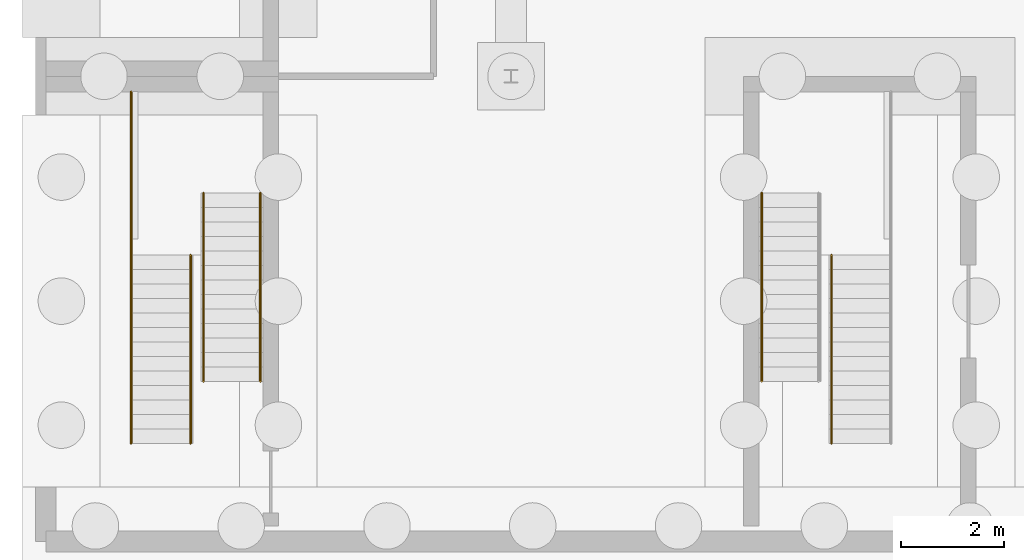
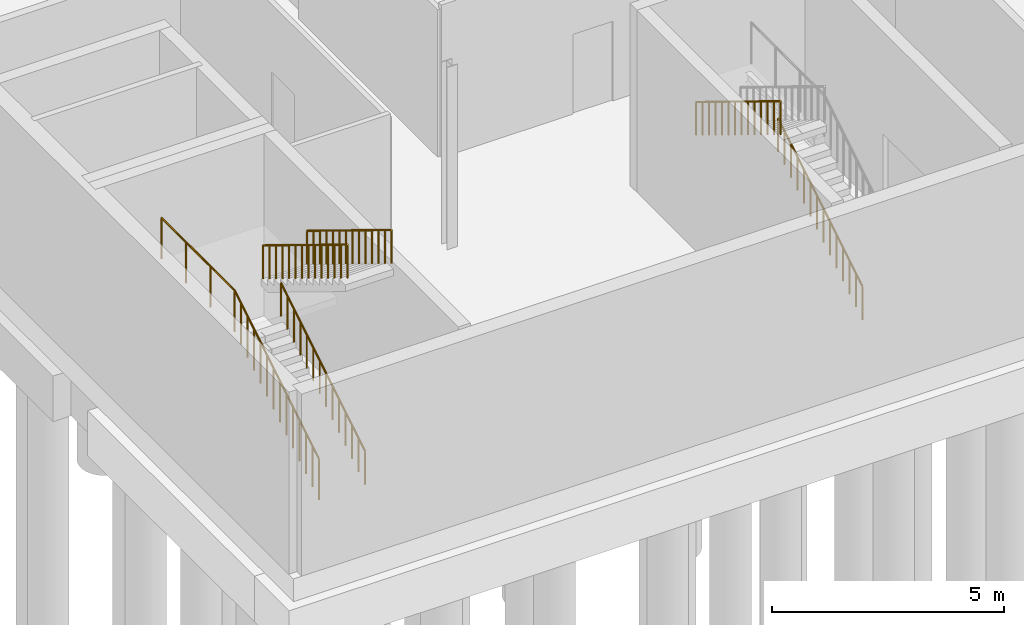
# One storey, part 23 of 31: 7 railings.
"""IFC4 building model written with IfcOpenShell, lengths in metres."""

from ifc_helpers import new_model, si_unit, direction, frame, origin, origin_2d, place, context, subcontext, project, spatial, circle, extrude, material, type_object, element, save


model = new_model("IFC4")

# Units and contexts
model_context = context("Model", 3, precision=1e-05, world=origin(), true_north=direction((0.0, 1.0)))
body_context = subcontext(model_context, "Body", "Model", "MODEL_VIEW")
ifc_project = project(units=[si_unit("LENGTHUNIT", "METRE"), si_unit("AREAUNIT", "SQUARE_METRE"), si_unit("VOLUMEUNIT", "CUBIC_METRE"), si_unit("PLANEANGLEUNIT", "RADIAN"), si_unit("MASSUNIT", "GRAM", prefix="KILO")], contexts=[model_context])

# Site, building, storey
site_placement = place(None, origin())
site = spatial("IfcSite", under=ifc_project, at=site_placement, CompositionType="ELEMENT")
building_placement = place(site_placement, origin())
building = spatial("IfcBuilding", under=site, at=building_placement, Name="Halyard Row Museum", CompositionType="ELEMENT")
storey_placement = place(building_placement, frame((0.0, 0.0, -4.800048828125)))
storey = spatial("IfcBuildingStorey", under=building, at=storey_placement, Name="B1", CompositionType="ELEMENT", Elevation=-4.800048828125)

# Railings
ifc_material_1 = material(Name="Steel Grade 300", Category="steel")
railing_type_1 = type_object("IfcRailingType", Name="Guard GR2 steel balustrade 1100", PredefinedType="GUARDRAIL", material=ifc_material_1)
railing_1_placement = place(storey_placement, frame((1.64990234375, 1.89990234375, 0.17138671875)))
element("IfcRailing", 1, at=railing_1_placement, inside=storey, type_object=railing_type_1, Name="Guard GR084", PredefinedType="GUARDRAIL", context=body_context, shape_type="SweptSolid", body=[
    extrude(circle(Radius=0.02392578125, at=origin_2d()), frame((0.0, 0.0, 1.076171875), z_axis=(0.0, 0.852601252411, 0.522562057929), x_axis=(-1.0, 0.0, 0.0)), (0.0, 0.0, 1.0), 0.328369140625),
    extrude(circle(Radius=0.02392578125, at=origin_2d()), frame((0.0, 0.280029296875, 1.24755859375), z_axis=(0.0, 0.852932391421, 0.522021393877), x_axis=(-1.0, 0.0, 0.0)), (0.0, 0.0, 1.0), 0.328369140625),
    extrude(circle(Radius=0.02392578125, at=origin_2d()), frame((0.0, 0.56005859375, 1.4189453125), z_axis=(0.0, 0.852932391421, 0.522021393877), x_axis=(-1.0, 0.0, 0.0)), (0.0, 0.0, 1.0), 0.328369140625),
    extrude(circle(Radius=0.02392578125, at=origin_2d()), frame((0.0, 0.840087890625, 1.59033203125), z_axis=(0.0, 0.852932391421, 0.522021393877), x_axis=(-1.0, 0.0, 0.0)), (0.0, 0.0, 1.0), 0.328369140625),
    extrude(circle(Radius=0.02392578125, at=origin_2d()), frame((0.0, 1.1201171875, 1.76171875), z_axis=(0.0, 0.852932391421, 0.522021393877), x_axis=(-1.0, 0.0, 0.0)), (0.0, 0.0, 1.0), 0.328369140625),
    extrude(circle(Radius=0.02392578125, at=origin_2d()), frame((0.0, 1.400146484375, 1.93310546875), z_axis=(0.0, 0.852932391421, 0.522021393877), x_axis=(-1.0, 0.0, 0.0)), (0.0, 0.0, 1.0), 0.328369140625),
    extrude(circle(Radius=0.02392578125, at=origin_2d()), frame((0.0, 1.68017578125, 2.1044921875), z_axis=(0.0, 0.852601252411, 0.522562057929), x_axis=(-1.0, 0.0, 0.0)), (0.0, 0.0, 1.0), 0.328369140625),
    extrude(circle(Radius=0.02392578125, at=origin_2d()), frame((0.0, 1.960205078125, 2.2763671875), z_axis=(0.0, 0.852729557261, 0.522352660731), x_axis=(-1.0, 0.0, 0.0)), (0.0, 0.0, 1.0), 0.328125),
    extrude(circle(Radius=0.02392578125, at=origin_2d()), frame((0.0, 2.239990234375, 2.44775390625), z_axis=(0.0, 0.852932391421, 0.522021393877), x_axis=(-1.0, 0.0, 0.0)), (0.0, 0.0, 1.0), 0.328369140625),
    extrude(circle(Radius=0.02392578125, at=origin_2d()), frame((0.0, 2.52001953125, 2.619140625), z_axis=(0.0, 0.852932391421, 0.522021393877), x_axis=(-1.0, 0.0, 0.0)), (0.0, 0.0, 1.0), 0.328369140625),
    extrude(circle(Radius=0.02392578125, at=origin_2d()), frame((0.0, 2.800048828125, 2.79052734375), z_axis=(0.0, 0.852932391421, 0.522021393877), x_axis=(-1.0, 0.0, 0.0)), (0.0, 0.0, 1.0), 0.328369140625),
    extrude(circle(Radius=0.02392578125, at=origin_2d()), frame((0.0, 3.080078125, 2.9619140625), z_axis=(0.0, 0.852932391421, 0.522021393877), x_axis=(-1.0, 0.0, 0.0)), (0.0, 0.0, 1.0), 0.328369140625),
    extrude(circle(Radius=0.02392578125, at=origin_2d()), frame((0.0, 3.360107421875, 3.13330078125), z_axis=(0.0, 0.852601252411, 0.522562057929), x_axis=(-1.0, 0.0, 0.0)), (0.0, 0.0, 1.0), 0.328369140625),
    extrude(circle(Radius=0.02099609375, at=origin_2d()), origin(), (0.0, 0.0, 1.0), 1.052001953125),
    extrude(circle(Radius=0.02099609375, at=origin_2d()), frame((0.0, 0.280029296875, 0.171630859375)), (0.0, 0.0, 1.0), 1.052001953125),
    extrude(circle(Radius=0.02099609375, at=origin_2d()), frame((0.0, 0.56005859375, 0.343017578125)), (0.0, 0.0, 1.0), 1.052001953125),
    extrude(circle(Radius=0.02099609375, at=origin_2d()), frame((0.0, 0.840087890625, 0.514404296875)), (0.0, 0.0, 1.0), 1.052001953125),
    extrude(circle(Radius=0.02099609375, at=origin_2d()), frame((0.0, 1.1201171875, 0.685791015625)), (0.0, 0.0, 1.0), 1.052001953125),
    extrude(circle(Radius=0.02099609375, at=origin_2d()), frame((0.0, 1.400146484375, 0.857177734375)), (0.0, 0.0, 1.0), 1.052001953125),
    extrude(circle(Radius=0.02099609375, at=origin_2d()), frame((0.0, 1.68017578125, 1.028564453125)), (0.0, 0.0, 1.0), 1.052001953125),
    extrude(circle(Radius=0.02099609375, at=origin_2d()), frame((0.0, 1.960205078125, 1.2001953125)), (0.0, 0.0, 1.0), 1.052001953125),
    extrude(circle(Radius=0.02099609375, at=origin_2d()), frame((0.0, 2.239990234375, 1.37158203125)), (0.0, 0.0, 1.0), 1.052001953125),
    extrude(circle(Radius=0.02099609375, at=origin_2d()), frame((0.0, 2.52001953125, 1.54296875)), (0.0, 0.0, 1.0), 1.052001953125),
    extrude(circle(Radius=0.02099609375, at=origin_2d()), frame((0.0, 2.800048828125, 1.71435546875)), (0.0, 0.0, 1.0), 1.052001953125),
    extrude(circle(Radius=0.02099609375, at=origin_2d()), frame((0.0, 3.080078125, 1.8857421875)), (0.0, 0.0, 1.0), 1.052001953125),
    extrude(circle(Radius=0.02099609375, at=origin_2d()), frame((0.0, 3.360107421875, 2.05712890625)), (0.0, 0.0, 1.0), 1.052001953125),
    extrude(circle(Radius=0.02099609375, at=origin_2d()), frame((0.0, 3.64013671875, 2.228759765625)), (0.0, 0.0, 1.0), 1.052001953125),
])
railing_2_placement = place(storey_placement, frame((1.64990234375, 5.5400390625, 2.400146484375)))
element("IfcRailing", 2, at=railing_2_placement, inside=storey, type_object=railing_type_1, Name="Guard GR085", PredefinedType="GUARDRAIL", context=body_context, shape_type="SweptSolid", body=[
    extrude(circle(Radius=0.02392578125, at=origin_2d()), frame((0.0, 0.0, 1.076171875), z_axis=(0.0, 1.0, 0.0), x_axis=(-1.0, 0.0, 0.0)), (0.0, 0.0, 1.0), 3.159912109375),
    extrude(circle(Radius=0.02099609375, at=origin_2d()), origin(), (0.0, 0.0, 1.0), 1.052001953125),
    extrude(circle(Radius=0.02099609375, at=origin_2d()), frame((0.0, 1.05322265625, 0.0)), (0.0, 0.0, 1.0), 1.052001953125),
    extrude(circle(Radius=0.02099609375, at=origin_2d()), frame((0.0, 2.106689453125, 0.0)), (0.0, 0.0, 1.0), 1.052001953125),
    extrude(circle(Radius=0.02099609375, at=origin_2d()), frame((0.0, 3.159912109375, 0.0)), (0.0, 0.0, 1.0), 1.052001953125),
])
ifc_material_2 = material(Name="Steel Grade 300", Category="steel")
railing_type_2 = type_object("IfcRailingType", Name="Handrail HR2 steel 900", PredefinedType="HANDRAIL", material=ifc_material_2)
railing_3_placement = place(storey_placement, frame((15.199951171875, 1.89990234375, 0.17138671875)))
element("IfcRailing", 3, at=railing_3_placement, inside=storey, type_object=railing_type_2, Name="Handrail HR109", PredefinedType="HANDRAIL", context=body_context, shape_type="SweptSolid", body=[
    extrude(circle(Radius=0.02392578125, at=origin_2d()), frame((0.0, 0.0, 0.8759765625), z_axis=(0.0, 0.852601252411, 0.522562057929), x_axis=(-1.0, 0.0, 0.0)), (0.0, 0.0, 1.0), 0.328369140625),
    extrude(circle(Radius=0.02392578125, at=origin_2d()), frame((0.0, 0.280029296875, 1.04736328125), z_axis=(0.0, 0.852932391421, 0.522021393877), x_axis=(-1.0, 0.0, 0.0)), (0.0, 0.0, 1.0), 0.328369140625),
    extrude(circle(Radius=0.02392578125, at=origin_2d()), frame((0.0, 0.56005859375, 1.21875), z_axis=(0.0, 0.852932391421, 0.522021393877), x_axis=(-1.0, 0.0, 0.0)), (0.0, 0.0, 1.0), 0.328369140625),
    extrude(circle(Radius=0.02392578125, at=origin_2d()), frame((0.0, 0.840087890625, 1.39013671875), z_axis=(0.0, 0.852932391421, 0.522021393877), x_axis=(-1.0, 0.0, 0.0)), (0.0, 0.0, 1.0), 0.328369140625),
    extrude(circle(Radius=0.02392578125, at=origin_2d()), frame((0.0, 1.1201171875, 1.5615234375), z_axis=(0.0, 0.852932391421, 0.522021393877), x_axis=(-1.0, 0.0, 0.0)), (0.0, 0.0, 1.0), 0.328369140625),
    extrude(circle(Radius=0.02392578125, at=origin_2d()), frame((0.0, 1.400146484375, 1.73291015625), z_axis=(0.0, 0.852932391421, 0.522021393877), x_axis=(-1.0, 0.0, 0.0)), (0.0, 0.0, 1.0), 0.328369140625),
    extrude(circle(Radius=0.02392578125, at=origin_2d()), frame((0.0, 1.68017578125, 1.904296875), z_axis=(0.0, 0.852601252411, 0.522562057929), x_axis=(-1.0, 0.0, 0.0)), (0.0, 0.0, 1.0), 0.328369140625),
    extrude(circle(Radius=0.02392578125, at=origin_2d()), frame((0.0, 1.960205078125, 2.076171875), z_axis=(0.0, 0.852729557261, 0.522352660731), x_axis=(-1.0, 0.0, 0.0)), (0.0, 0.0, 1.0), 0.328125),
    extrude(circle(Radius=0.02392578125, at=origin_2d()), frame((0.0, 2.239990234375, 2.24755859375), z_axis=(0.0, 0.852932391421, 0.522021393877), x_axis=(-1.0, 0.0, 0.0)), (0.0, 0.0, 1.0), 0.328369140625),
    extrude(circle(Radius=0.02392578125, at=origin_2d()), frame((0.0, 2.52001953125, 2.4189453125), z_axis=(0.0, 0.852932391421, 0.522021393877), x_axis=(-1.0, 0.0, 0.0)), (0.0, 0.0, 1.0), 0.328369140625),
    extrude(circle(Radius=0.02392578125, at=origin_2d()), frame((0.0, 2.800048828125, 2.59033203125), z_axis=(0.0, 0.852932391421, 0.522021393877), x_axis=(-1.0, 0.0, 0.0)), (0.0, 0.0, 1.0), 0.328369140625),
    extrude(circle(Radius=0.02392578125, at=origin_2d()), frame((0.0, 3.080078125, 2.76171875), z_axis=(0.0, 0.852932391421, 0.522021393877), x_axis=(-1.0, 0.0, 0.0)), (0.0, 0.0, 1.0), 0.328369140625),
    extrude(circle(Radius=0.02392578125, at=origin_2d()), frame((0.0, 3.360107421875, 2.93310546875), z_axis=(0.0, 0.852601252411, 0.522562057929), x_axis=(-1.0, 0.0, 0.0)), (0.0, 0.0, 1.0), 0.328369140625),
    extrude(circle(Radius=0.02099609375, at=origin_2d()), origin(), (0.0, 0.0, 1.0), 0.851806640625),
    extrude(circle(Radius=0.02099609375, at=origin_2d()), frame((0.0, 0.280029296875, 0.171630859375)), (0.0, 0.0, 1.0), 0.851806640625),
    extrude(circle(Radius=0.02099609375, at=origin_2d()), frame((0.0, 0.56005859375, 0.343017578125)), (0.0, 0.0, 1.0), 0.851806640625),
    extrude(circle(Radius=0.02099609375, at=origin_2d()), frame((0.0, 0.840087890625, 0.514404296875)), (0.0, 0.0, 1.0), 0.851806640625),
    extrude(circle(Radius=0.02099609375, at=origin_2d()), frame((0.0, 1.1201171875, 0.685791015625)), (0.0, 0.0, 1.0), 0.851806640625),
    extrude(circle(Radius=0.02099609375, at=origin_2d()), frame((0.0, 1.400146484375, 0.857177734375)), (0.0, 0.0, 1.0), 0.851806640625),
    extrude(circle(Radius=0.02099609375, at=origin_2d()), frame((0.0, 1.68017578125, 1.028564453125)), (0.0, 0.0, 1.0), 0.851806640625),
    extrude(circle(Radius=0.02099609375, at=origin_2d()), frame((0.0, 1.960205078125, 1.2001953125)), (0.0, 0.0, 1.0), 0.851806640625),
    extrude(circle(Radius=0.02099609375, at=origin_2d()), frame((0.0, 2.239990234375, 1.37158203125)), (0.0, 0.0, 1.0), 0.851806640625),
    extrude(circle(Radius=0.02099609375, at=origin_2d()), frame((0.0, 2.52001953125, 1.54296875)), (0.0, 0.0, 1.0), 0.851806640625),
    extrude(circle(Radius=0.02099609375, at=origin_2d()), frame((0.0, 2.800048828125, 1.71435546875)), (0.0, 0.0, 1.0), 0.851806640625),
    extrude(circle(Radius=0.02099609375, at=origin_2d()), frame((0.0, 3.080078125, 1.8857421875)), (0.0, 0.0, 1.0), 0.851806640625),
    extrude(circle(Radius=0.02099609375, at=origin_2d()), frame((0.0, 3.360107421875, 2.05712890625)), (0.0, 0.0, 1.0), 0.851806640625),
    extrude(circle(Radius=0.02099609375, at=origin_2d()), frame((0.0, 3.64013671875, 2.228759765625)), (0.0, 0.0, 1.0), 0.851806640625),
])
railing_4_placement = place(storey_placement, frame((13.85009765625, 6.739990234375, 2.571533203125)))
element("IfcRailing", 4, at=railing_4_placement, inside=storey, type_object=railing_type_2, Name="Handrail HR110", PredefinedType="HANDRAIL", context=body_context, shape_type="SweptSolid", body=[
    extrude(circle(Radius=0.02392578125, at=origin_2d()), frame((0.0, 0.0, 0.8759765625), z_axis=(0.0, -0.852932391421, 0.522021393877), x_axis=(1.0, 0.0, 0.0)), (0.0, 0.0, 1.0), 0.328369140625),
    extrude(circle(Radius=0.02392578125, at=origin_2d()), frame((0.0, -0.280029296875, 1.04736328125), z_axis=(0.0, -0.852932391421, 0.522021393877), x_axis=(1.0, 0.0, 0.0)), (0.0, 0.0, 1.0), 0.328369140625),
    extrude(circle(Radius=0.02392578125, at=origin_2d()), frame((0.0, -0.56005859375, 1.21875), z_axis=(0.0, -0.852932391421, 0.522021393877), x_axis=(1.0, 0.0, 0.0)), (0.0, 0.0, 1.0), 0.328369140625),
    extrude(circle(Radius=0.02392578125, at=origin_2d()), frame((0.0, -0.840087890625, 1.39013671875), z_axis=(0.0, -0.852729557261, 0.522352660731), x_axis=(1.0, 0.0, 0.0)), (0.0, 0.0, 1.0), 0.328125),
    extrude(circle(Radius=0.02392578125, at=origin_2d()), frame((0.0, -1.119873046875, 1.5615234375), z_axis=(0.0, -0.852601252411, 0.522562057929), x_axis=(1.0, 0.0, 0.0)), (0.0, 0.0, 1.0), 0.328369140625),
    extrude(circle(Radius=0.02392578125, at=origin_2d()), frame((0.0, -1.39990234375, 1.73291015625), z_axis=(0.0, -0.852932391421, 0.522021393877), x_axis=(1.0, 0.0, 0.0)), (0.0, 0.0, 1.0), 0.328369140625),
    extrude(circle(Radius=0.02392578125, at=origin_2d()), frame((0.0, -1.679931640625, 1.904296875), z_axis=(0.0, -0.852932391421, 0.522021393877), x_axis=(1.0, 0.0, 0.0)), (0.0, 0.0, 1.0), 0.328369140625),
    extrude(circle(Radius=0.02392578125, at=origin_2d()), frame((0.0, -1.9599609375, 2.07568359375), z_axis=(0.0, -0.852932391421, 0.522021393877), x_axis=(1.0, 0.0, 0.0)), (0.0, 0.0, 1.0), 0.328369140625),
    extrude(circle(Radius=0.02392578125, at=origin_2d()), frame((0.0, -2.239990234375, 2.2470703125), z_axis=(0.0, -0.852932391421, 0.522021393877), x_axis=(1.0, 0.0, 0.0)), (0.0, 0.0, 1.0), 0.328369140625),
    extrude(circle(Radius=0.02392578125, at=origin_2d()), frame((0.0, -2.52001953125, 2.41845703125), z_axis=(0.0, -0.852932391421, 0.522021393877), x_axis=(1.0, 0.0, 0.0)), (0.0, 0.0, 1.0), 0.328369140625),
    extrude(circle(Radius=0.02392578125, at=origin_2d()), frame((0.0, -2.800048828125, 2.58984375), z_axis=(0.0, -0.852601252411, 0.522562057929), x_axis=(1.0, 0.0, 0.0)), (0.0, 0.0, 1.0), 0.328369140625),
    extrude(circle(Radius=0.02392578125, at=origin_2d()), frame((0.0, -3.080078125, 2.76171875), z_axis=(0.0, -0.852932391421, 0.522021393877), x_axis=(1.0, 0.0, 0.0)), (0.0, 0.0, 1.0), 0.328369140625),
    extrude(circle(Radius=0.02392578125, at=origin_2d()), frame((0.0, -3.360107421875, 2.93310546875), z_axis=(0.0, -0.852729557261, 0.522352660731), x_axis=(1.0, 0.0, 0.0)), (0.0, 0.0, 1.0), 0.328125),
    extrude(circle(Radius=0.02099609375, at=origin_2d()), origin(), (0.0, 0.0, 1.0), 0.851806640625),
    extrude(circle(Radius=0.02099609375, at=origin_2d()), frame((0.0, -0.280029296875, 0.17138671875)), (0.0, 0.0, 1.0), 0.851806640625),
    extrude(circle(Radius=0.02099609375, at=origin_2d()), frame((0.0, -0.56005859375, 0.3427734375)), (0.0, 0.0, 1.0), 0.851806640625),
    extrude(circle(Radius=0.02099609375, at=origin_2d()), frame((0.0, -0.840087890625, 0.51416015625)), (0.0, 0.0, 1.0), 0.851806640625),
    extrude(circle(Radius=0.02099609375, at=origin_2d()), frame((0.0, -1.119873046875, 0.685546875)), (0.0, 0.0, 1.0), 0.851806640625),
    extrude(circle(Radius=0.02099609375, at=origin_2d()), frame((0.0, -1.39990234375, 0.857177734375)), (0.0, 0.0, 1.0), 0.851806640625),
    extrude(circle(Radius=0.02099609375, at=origin_2d()), frame((0.0, -1.679931640625, 1.028564453125)), (0.0, 0.0, 1.0), 0.851806640625),
    extrude(circle(Radius=0.02099609375, at=origin_2d()), frame((0.0, -1.9599609375, 1.199951171875)), (0.0, 0.0, 1.0), 0.851806640625),
    extrude(circle(Radius=0.02099609375, at=origin_2d()), frame((0.0, -2.239990234375, 1.371337890625)), (0.0, 0.0, 1.0), 0.851806640625),
    extrude(circle(Radius=0.02099609375, at=origin_2d()), frame((0.0, -2.52001953125, 1.542724609375)), (0.0, 0.0, 1.0), 0.851806640625),
    extrude(circle(Radius=0.02099609375, at=origin_2d()), frame((0.0, -2.800048828125, 1.714111328125)), (0.0, 0.0, 1.0), 0.851806640625),
    extrude(circle(Radius=0.02099609375, at=origin_2d()), frame((0.0, -3.080078125, 1.8857421875)), (0.0, 0.0, 1.0), 0.851806640625),
    extrude(circle(Radius=0.02099609375, at=origin_2d()), frame((0.0, -3.360107421875, 2.05712890625)), (0.0, 0.0, 1.0), 0.851806640625),
    extrude(circle(Radius=0.02099609375, at=origin_2d()), frame((0.0, -3.639892578125, 2.228515625)), (0.0, 0.0, 1.0), 0.851806640625),
])
railing_5_placement = place(storey_placement, frame((2.800048828125, 1.89990234375, 0.17138671875)))
element("IfcRailing", 5, at=railing_5_placement, inside=storey, type_object=railing_type_2, Name="Handrail HR121", PredefinedType="HANDRAIL", context=body_context, shape_type="SweptSolid", body=[
    extrude(circle(Radius=0.02392578125, at=origin_2d()), frame((0.0, 0.0, 0.8759765625), z_axis=(0.0, 0.852601252411, 0.522562057929), x_axis=(-1.0, 0.0, 0.0)), (0.0, 0.0, 1.0), 0.328369140625),
    extrude(circle(Radius=0.02392578125, at=origin_2d()), frame((0.0, 0.280029296875, 1.04736328125), z_axis=(0.0, 0.852932391421, 0.522021393877), x_axis=(-1.0, 0.0, 0.0)), (0.0, 0.0, 1.0), 0.328369140625),
    extrude(circle(Radius=0.02392578125, at=origin_2d()), frame((0.0, 0.56005859375, 1.21875), z_axis=(0.0, 0.852932391421, 0.522021393877), x_axis=(-1.0, 0.0, 0.0)), (0.0, 0.0, 1.0), 0.328369140625),
    extrude(circle(Radius=0.02392578125, at=origin_2d()), frame((0.0, 0.840087890625, 1.39013671875), z_axis=(0.0, 0.852932391421, 0.522021393877), x_axis=(-1.0, 0.0, 0.0)), (0.0, 0.0, 1.0), 0.328369140625),
    extrude(circle(Radius=0.02392578125, at=origin_2d()), frame((0.0, 1.1201171875, 1.5615234375), z_axis=(0.0, 0.852932391421, 0.522021393877), x_axis=(-1.0, 0.0, 0.0)), (0.0, 0.0, 1.0), 0.328369140625),
    extrude(circle(Radius=0.02392578125, at=origin_2d()), frame((0.0, 1.400146484375, 1.73291015625), z_axis=(0.0, 0.852932391421, 0.522021393877), x_axis=(-1.0, 0.0, 0.0)), (0.0, 0.0, 1.0), 0.328369140625),
    extrude(circle(Radius=0.02392578125, at=origin_2d()), frame((0.0, 1.68017578125, 1.904296875), z_axis=(0.0, 0.852601252411, 0.522562057929), x_axis=(-1.0, 0.0, 0.0)), (0.0, 0.0, 1.0), 0.328369140625),
    extrude(circle(Radius=0.02392578125, at=origin_2d()), frame((0.0, 1.960205078125, 2.076171875), z_axis=(0.0, 0.852729557261, 0.522352660731), x_axis=(-1.0, 0.0, 0.0)), (0.0, 0.0, 1.0), 0.328125),
    extrude(circle(Radius=0.02392578125, at=origin_2d()), frame((0.0, 2.239990234375, 2.24755859375), z_axis=(0.0, 0.852932391421, 0.522021393877), x_axis=(-1.0, 0.0, 0.0)), (0.0, 0.0, 1.0), 0.328369140625),
    extrude(circle(Radius=0.02392578125, at=origin_2d()), frame((0.0, 2.52001953125, 2.4189453125), z_axis=(0.0, 0.852932391421, 0.522021393877), x_axis=(-1.0, 0.0, 0.0)), (0.0, 0.0, 1.0), 0.328369140625),
    extrude(circle(Radius=0.02392578125, at=origin_2d()), frame((0.0, 2.800048828125, 2.59033203125), z_axis=(0.0, 0.852932391421, 0.522021393877), x_axis=(-1.0, 0.0, 0.0)), (0.0, 0.0, 1.0), 0.328369140625),
    extrude(circle(Radius=0.02392578125, at=origin_2d()), frame((0.0, 3.080078125, 2.76171875), z_axis=(0.0, 0.852932391421, 0.522021393877), x_axis=(-1.0, 0.0, 0.0)), (0.0, 0.0, 1.0), 0.328369140625),
    extrude(circle(Radius=0.02392578125, at=origin_2d()), frame((0.0, 3.360107421875, 2.93310546875), z_axis=(0.0, 0.852601252411, 0.522562057929), x_axis=(-1.0, 0.0, 0.0)), (0.0, 0.0, 1.0), 0.328369140625),
    extrude(circle(Radius=0.02099609375, at=origin_2d()), origin(), (0.0, 0.0, 1.0), 0.851806640625),
    extrude(circle(Radius=0.02099609375, at=origin_2d()), frame((0.0, 0.280029296875, 0.171630859375)), (0.0, 0.0, 1.0), 0.851806640625),
    extrude(circle(Radius=0.02099609375, at=origin_2d()), frame((0.0, 0.56005859375, 0.343017578125)), (0.0, 0.0, 1.0), 0.851806640625),
    extrude(circle(Radius=0.02099609375, at=origin_2d()), frame((0.0, 0.840087890625, 0.514404296875)), (0.0, 0.0, 1.0), 0.851806640625),
    extrude(circle(Radius=0.02099609375, at=origin_2d()), frame((0.0, 1.1201171875, 0.685791015625)), (0.0, 0.0, 1.0), 0.851806640625),
    extrude(circle(Radius=0.02099609375, at=origin_2d()), frame((0.0, 1.400146484375, 0.857177734375)), (0.0, 0.0, 1.0), 0.851806640625),
    extrude(circle(Radius=0.02099609375, at=origin_2d()), frame((0.0, 1.68017578125, 1.028564453125)), (0.0, 0.0, 1.0), 0.851806640625),
    extrude(circle(Radius=0.02099609375, at=origin_2d()), frame((0.0, 1.960205078125, 1.2001953125)), (0.0, 0.0, 1.0), 0.851806640625),
    extrude(circle(Radius=0.02099609375, at=origin_2d()), frame((0.0, 2.239990234375, 1.37158203125)), (0.0, 0.0, 1.0), 0.851806640625),
    extrude(circle(Radius=0.02099609375, at=origin_2d()), frame((0.0, 2.52001953125, 1.54296875)), (0.0, 0.0, 1.0), 0.851806640625),
    extrude(circle(Radius=0.02099609375, at=origin_2d()), frame((0.0, 2.800048828125, 1.71435546875)), (0.0, 0.0, 1.0), 0.851806640625),
    extrude(circle(Radius=0.02099609375, at=origin_2d()), frame((0.0, 3.080078125, 1.8857421875)), (0.0, 0.0, 1.0), 0.851806640625),
    extrude(circle(Radius=0.02099609375, at=origin_2d()), frame((0.0, 3.360107421875, 2.05712890625)), (0.0, 0.0, 1.0), 0.851806640625),
    extrude(circle(Radius=0.02099609375, at=origin_2d()), frame((0.0, 3.64013671875, 2.228759765625)), (0.0, 0.0, 1.0), 0.851806640625),
])
railing_6_placement = place(storey_placement, frame((4.14990234375, 6.739990234375, 2.571533203125)))
element("IfcRailing", 6, at=railing_6_placement, inside=storey, type_object=railing_type_2, Name="Handrail HR122", PredefinedType="HANDRAIL", context=body_context, shape_type="SweptSolid", body=[
    extrude(circle(Radius=0.02392578125, at=origin_2d()), frame((0.0, 0.0, 0.8759765625), z_axis=(0.0, -0.852932391421, 0.522021393877), x_axis=(1.0, 0.0, 0.0)), (0.0, 0.0, 1.0), 0.328369140625),
    extrude(circle(Radius=0.02392578125, at=origin_2d()), frame((0.0, -0.280029296875, 1.04736328125), z_axis=(0.0, -0.852932391421, 0.522021393877), x_axis=(1.0, 0.0, 0.0)), (0.0, 0.0, 1.0), 0.328369140625),
    extrude(circle(Radius=0.02392578125, at=origin_2d()), frame((0.0, -0.56005859375, 1.21875), z_axis=(0.0, -0.852932391421, 0.522021393877), x_axis=(1.0, 0.0, 0.0)), (0.0, 0.0, 1.0), 0.328369140625),
    extrude(circle(Radius=0.02392578125, at=origin_2d()), frame((0.0, -0.840087890625, 1.39013671875), z_axis=(0.0, -0.852729557261, 0.522352660731), x_axis=(1.0, 0.0, 0.0)), (0.0, 0.0, 1.0), 0.328125),
    extrude(circle(Radius=0.02392578125, at=origin_2d()), frame((0.0, -1.119873046875, 1.5615234375), z_axis=(0.0, -0.852601252411, 0.522562057929), x_axis=(1.0, 0.0, 0.0)), (0.0, 0.0, 1.0), 0.328369140625),
    extrude(circle(Radius=0.02392578125, at=origin_2d()), frame((0.0, -1.39990234375, 1.73291015625), z_axis=(0.0, -0.852932391421, 0.522021393877), x_axis=(1.0, 0.0, 0.0)), (0.0, 0.0, 1.0), 0.328369140625),
    extrude(circle(Radius=0.02392578125, at=origin_2d()), frame((0.0, -1.679931640625, 1.904296875), z_axis=(0.0, -0.852932391421, 0.522021393877), x_axis=(1.0, 0.0, 0.0)), (0.0, 0.0, 1.0), 0.328369140625),
    extrude(circle(Radius=0.02392578125, at=origin_2d()), frame((0.0, -1.9599609375, 2.07568359375), z_axis=(0.0, -0.852932391421, 0.522021393877), x_axis=(1.0, 0.0, 0.0)), (0.0, 0.0, 1.0), 0.328369140625),
    extrude(circle(Radius=0.02392578125, at=origin_2d()), frame((0.0, -2.239990234375, 2.2470703125), z_axis=(0.0, -0.852932391421, 0.522021393877), x_axis=(1.0, 0.0, 0.0)), (0.0, 0.0, 1.0), 0.328369140625),
    extrude(circle(Radius=0.02392578125, at=origin_2d()), frame((0.0, -2.52001953125, 2.41845703125), z_axis=(0.0, -0.852932391421, 0.522021393877), x_axis=(1.0, 0.0, 0.0)), (0.0, 0.0, 1.0), 0.328369140625),
    extrude(circle(Radius=0.02392578125, at=origin_2d()), frame((0.0, -2.800048828125, 2.58984375), z_axis=(0.0, -0.852601252411, 0.522562057929), x_axis=(1.0, 0.0, 0.0)), (0.0, 0.0, 1.0), 0.328369140625),
    extrude(circle(Radius=0.02392578125, at=origin_2d()), frame((0.0, -3.080078125, 2.76171875), z_axis=(0.0, -0.852932391421, 0.522021393877), x_axis=(1.0, 0.0, 0.0)), (0.0, 0.0, 1.0), 0.328369140625),
    extrude(circle(Radius=0.02392578125, at=origin_2d()), frame((0.0, -3.360107421875, 2.93310546875), z_axis=(0.0, -0.852729557261, 0.522352660731), x_axis=(1.0, 0.0, 0.0)), (0.0, 0.0, 1.0), 0.328125),
    extrude(circle(Radius=0.02099609375, at=origin_2d()), origin(), (0.0, 0.0, 1.0), 0.851806640625),
    extrude(circle(Radius=0.02099609375, at=origin_2d()), frame((0.0, -0.280029296875, 0.17138671875)), (0.0, 0.0, 1.0), 0.851806640625),
    extrude(circle(Radius=0.02099609375, at=origin_2d()), frame((0.0, -0.56005859375, 0.3427734375)), (0.0, 0.0, 1.0), 0.851806640625),
    extrude(circle(Radius=0.02099609375, at=origin_2d()), frame((0.0, -0.840087890625, 0.51416015625)), (0.0, 0.0, 1.0), 0.851806640625),
    extrude(circle(Radius=0.02099609375, at=origin_2d()), frame((0.0, -1.119873046875, 0.685546875)), (0.0, 0.0, 1.0), 0.851806640625),
    extrude(circle(Radius=0.02099609375, at=origin_2d()), frame((0.0, -1.39990234375, 0.857177734375)), (0.0, 0.0, 1.0), 0.851806640625),
    extrude(circle(Radius=0.02099609375, at=origin_2d()), frame((0.0, -1.679931640625, 1.028564453125)), (0.0, 0.0, 1.0), 0.851806640625),
    extrude(circle(Radius=0.02099609375, at=origin_2d()), frame((0.0, -1.9599609375, 1.199951171875)), (0.0, 0.0, 1.0), 0.851806640625),
    extrude(circle(Radius=0.02099609375, at=origin_2d()), frame((0.0, -2.239990234375, 1.371337890625)), (0.0, 0.0, 1.0), 0.851806640625),
    extrude(circle(Radius=0.02099609375, at=origin_2d()), frame((0.0, -2.52001953125, 1.542724609375)), (0.0, 0.0, 1.0), 0.851806640625),
    extrude(circle(Radius=0.02099609375, at=origin_2d()), frame((0.0, -2.800048828125, 1.714111328125)), (0.0, 0.0, 1.0), 0.851806640625),
    extrude(circle(Radius=0.02099609375, at=origin_2d()), frame((0.0, -3.080078125, 1.8857421875)), (0.0, 0.0, 1.0), 0.851806640625),
    extrude(circle(Radius=0.02099609375, at=origin_2d()), frame((0.0, -3.360107421875, 2.05712890625)), (0.0, 0.0, 1.0), 0.851806640625),
    extrude(circle(Radius=0.02099609375, at=origin_2d()), frame((0.0, -3.639892578125, 2.228515625)), (0.0, 0.0, 1.0), 0.851806640625),
])
railing_7_placement = place(storey_placement, frame((3.050048828125, 6.739990234375, 2.571533203125)))
element("IfcRailing", 7, at=railing_7_placement, inside=storey, type_object=railing_type_2, Name="Handrail HR123", PredefinedType="HANDRAIL", context=body_context, shape_type="SweptSolid", body=[
    extrude(circle(Radius=0.02392578125, at=origin_2d()), frame((0.0, 0.0, 0.8759765625), z_axis=(0.0, -0.852932391421, 0.522021393877), x_axis=(1.0, 0.0, 0.0)), (0.0, 0.0, 1.0), 0.328369140625),
    extrude(circle(Radius=0.02392578125, at=origin_2d()), frame((0.0, -0.280029296875, 1.04736328125), z_axis=(0.0, -0.852932391421, 0.522021393877), x_axis=(1.0, 0.0, 0.0)), (0.0, 0.0, 1.0), 0.328369140625),
    extrude(circle(Radius=0.02392578125, at=origin_2d()), frame((0.0, -0.56005859375, 1.21875), z_axis=(0.0, -0.852932391421, 0.522021393877), x_axis=(1.0, 0.0, 0.0)), (0.0, 0.0, 1.0), 0.328369140625),
    extrude(circle(Radius=0.02392578125, at=origin_2d()), frame((0.0, -0.840087890625, 1.39013671875), z_axis=(0.0, -0.852729557261, 0.522352660731), x_axis=(1.0, 0.0, 0.0)), (0.0, 0.0, 1.0), 0.328125),
    extrude(circle(Radius=0.02392578125, at=origin_2d()), frame((0.0, -1.119873046875, 1.5615234375), z_axis=(0.0, -0.852601252411, 0.522562057929), x_axis=(1.0, 0.0, 0.0)), (0.0, 0.0, 1.0), 0.328369140625),
    extrude(circle(Radius=0.02392578125, at=origin_2d()), frame((0.0, -1.39990234375, 1.73291015625), z_axis=(0.0, -0.852932391421, 0.522021393877), x_axis=(1.0, 0.0, 0.0)), (0.0, 0.0, 1.0), 0.328369140625),
    extrude(circle(Radius=0.02392578125, at=origin_2d()), frame((0.0, -1.679931640625, 1.904296875), z_axis=(0.0, -0.852932391421, 0.522021393877), x_axis=(1.0, 0.0, 0.0)), (0.0, 0.0, 1.0), 0.328369140625),
    extrude(circle(Radius=0.02392578125, at=origin_2d()), frame((0.0, -1.9599609375, 2.07568359375), z_axis=(0.0, -0.852932391421, 0.522021393877), x_axis=(1.0, 0.0, 0.0)), (0.0, 0.0, 1.0), 0.328369140625),
    extrude(circle(Radius=0.02392578125, at=origin_2d()), frame((0.0, -2.239990234375, 2.2470703125), z_axis=(0.0, -0.852932391421, 0.522021393877), x_axis=(1.0, 0.0, 0.0)), (0.0, 0.0, 1.0), 0.328369140625),
    extrude(circle(Radius=0.02392578125, at=origin_2d()), frame((0.0, -2.52001953125, 2.41845703125), z_axis=(0.0, -0.852932391421, 0.522021393877), x_axis=(1.0, 0.0, 0.0)), (0.0, 0.0, 1.0), 0.328369140625),
    extrude(circle(Radius=0.02392578125, at=origin_2d()), frame((0.0, -2.800048828125, 2.58984375), z_axis=(0.0, -0.852601252411, 0.522562057929), x_axis=(1.0, 0.0, 0.0)), (0.0, 0.0, 1.0), 0.328369140625),
    extrude(circle(Radius=0.02392578125, at=origin_2d()), frame((0.0, -3.080078125, 2.76171875), z_axis=(0.0, -0.852932391421, 0.522021393877), x_axis=(1.0, 0.0, 0.0)), (0.0, 0.0, 1.0), 0.328369140625),
    extrude(circle(Radius=0.02392578125, at=origin_2d()), frame((0.0, -3.360107421875, 2.93310546875), z_axis=(0.0, -0.852729557261, 0.522352660731), x_axis=(1.0, 0.0, 0.0)), (0.0, 0.0, 1.0), 0.328125),
    extrude(circle(Radius=0.02099609375, at=origin_2d()), origin(), (0.0, 0.0, 1.0), 0.851806640625),
    extrude(circle(Radius=0.02099609375, at=origin_2d()), frame((0.0, -0.280029296875, 0.17138671875)), (0.0, 0.0, 1.0), 0.851806640625),
    extrude(circle(Radius=0.02099609375, at=origin_2d()), frame((0.0, -0.56005859375, 0.3427734375)), (0.0, 0.0, 1.0), 0.851806640625),
    extrude(circle(Radius=0.02099609375, at=origin_2d()), frame((0.0, -0.840087890625, 0.51416015625)), (0.0, 0.0, 1.0), 0.851806640625),
    extrude(circle(Radius=0.02099609375, at=origin_2d()), frame((0.0, -1.119873046875, 0.685546875)), (0.0, 0.0, 1.0), 0.851806640625),
    extrude(circle(Radius=0.02099609375, at=origin_2d()), frame((0.0, -1.39990234375, 0.857177734375)), (0.0, 0.0, 1.0), 0.851806640625),
    extrude(circle(Radius=0.02099609375, at=origin_2d()), frame((0.0, -1.679931640625, 1.028564453125)), (0.0, 0.0, 1.0), 0.851806640625),
    extrude(circle(Radius=0.02099609375, at=origin_2d()), frame((0.0, -1.9599609375, 1.199951171875)), (0.0, 0.0, 1.0), 0.851806640625),
    extrude(circle(Radius=0.02099609375, at=origin_2d()), frame((0.0, -2.239990234375, 1.371337890625)), (0.0, 0.0, 1.0), 0.851806640625),
    extrude(circle(Radius=0.02099609375, at=origin_2d()), frame((0.0, -2.52001953125, 1.542724609375)), (0.0, 0.0, 1.0), 0.851806640625),
    extrude(circle(Radius=0.02099609375, at=origin_2d()), frame((0.0, -2.800048828125, 1.714111328125)), (0.0, 0.0, 1.0), 0.851806640625),
    extrude(circle(Radius=0.02099609375, at=origin_2d()), frame((0.0, -3.080078125, 1.8857421875)), (0.0, 0.0, 1.0), 0.851806640625),
    extrude(circle(Radius=0.02099609375, at=origin_2d()), frame((0.0, -3.360107421875, 2.05712890625)), (0.0, 0.0, 1.0), 0.851806640625),
    extrude(circle(Radius=0.02099609375, at=origin_2d()), frame((0.0, -3.639892578125, 2.228515625)), (0.0, 0.0, 1.0), 0.851806640625),
])

save(model, "model.ifc")
